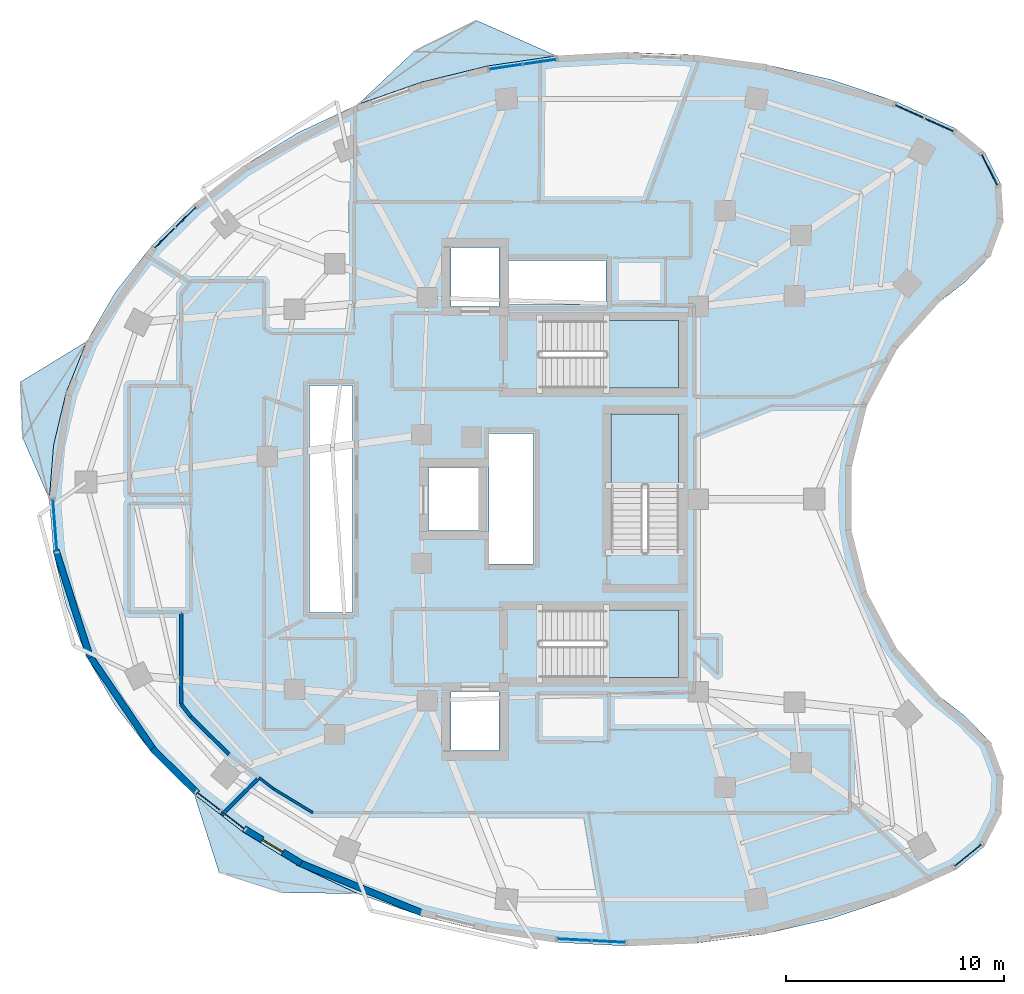
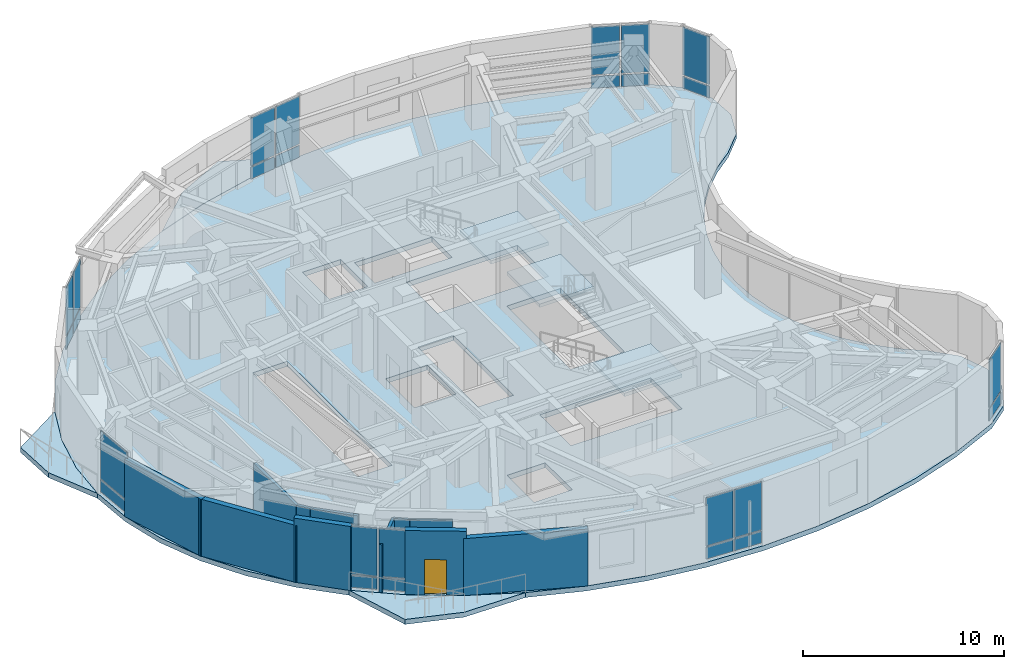
# One storey, part 6 of 13: 26 plates, 11 walls, 7 slabs, 1 door, 1 opening, 11 elements without a shape of their own.
"""IFC4 building model written with IfcOpenShell, lengths in metres."""

from ifc_helpers import new_model, si_unit, direction, frame, frame_2d, origin, origin_2d, place, context, subcontext, project, spatial, polyline, rectangle, outline, extrude, material, layer, layer_set, type_object, element, fill, aggregate, save


model = new_model("IFC4")

# Units and contexts
model_context = context("Model", 3, precision=1e-05, world=origin(), true_north=direction((0.0, 1.0)))
body_context = subcontext(model_context, "Body", "Model", "MODEL_VIEW")
ifc_project = project(units=[si_unit("LENGTHUNIT", "METRE"), si_unit("AREAUNIT", "SQUARE_METRE"), si_unit("VOLUMEUNIT", "CUBIC_METRE"), si_unit("PLANEANGLEUNIT", "RADIAN"), si_unit("MASSUNIT", "GRAM", prefix="KILO")], contexts=[model_context])

# Site, building, storey
site_placement = place(None, origin())
site = spatial("IfcSite", under=ifc_project, at=site_placement, CompositionType="ELEMENT")
building_placement = place(site_placement, origin())
building = spatial("IfcBuilding", under=site, at=building_placement, Name="Korentha Bioscience Tower", CompositionType="ELEMENT")
storey_placement = place(building_placement, frame((0.0, 0.0, 187.800048828125)))
storey = spatial("IfcBuildingStorey", under=building, at=storey_placement, Name="L43", CompositionType="ELEMENT", Elevation=187.800048828125)

# Curtain wall, plates
ifc_material_1 = material(Name="Thermally Broken Aluminium Frame", Category="aluminium")
ifc_layer_1 = layer(ifc_material_1, 0.219970703125, Name="Thermally Broken Aluminium Frame")
ifc_layer_set_1 = layer_set([ifc_layer_1], Name="Thermally Broken Aluminium Frame (CW-T1)")
curtain_wall_type = type_object("IfcCurtainWallType", Name="Standard Bioscience Lab Unitised Curtain Wall CW-T1", PredefinedType="USERDEFINED", material=ifc_layer_set_1)
curtain_wall_1_placement = place(storey_placement, origin())
curtain_wall_1 = element("IfcCurtainWall", 1, at=curtain_wall_1_placement, inside=storey, type_object=curtain_wall_type, Name="L43 Curtain Wall 01", ObjectType="UNITISED", PredefinedType="USERDEFINED")
ifc_material_2 = material(Name="Triple-Glazed Low-E Insulated Glass", Category="glass")
ifc_layer_2 = layer(ifc_material_2, 0.0439453125, Name="Triple-Glazed Low-E Insulated Glass")
ifc_layer_set_2 = layer_set([ifc_layer_2], Name="Triple-Glazed Low-E Insulated Glass (GL-44)")
plate_type = type_object("IfcPlateType", Name="Glazed Panel 44mm", PredefinedType="CURTAIN_PANEL", material=ifc_layer_set_2)
plate_1_placement = place(storey_placement, frame((48.625732421875, 44.190673828125, 0.08984375), z_axis=(0.0, 0.0, 1.0), x_axis=(-0.910644398392, 0.413190972406, 0.0)))
plate_1 = element("IfcPlate", 2, at=plate_1_placement, type_object=plate_type, Name="CW-L43-01 Bay 1 Glazed Panel 1", PredefinedType="CURTAIN_PANEL", context=body_context, shape_type="SweptSolid", body=[
    extrude(rectangle(XDim=1.422607421875, YDim=0.0439453125, at=origin_2d()), origin(), (0.0, 0.0, 1.0), 0.715087890625),
])
plate_2_placement = place(storey_placement, frame((48.625732421875, 44.190673828125, 0.89501953125), z_axis=(0.0, 0.0, 1.0), x_axis=(-0.910644398392, 0.413190972406, 0.0)))
plate_2 = element("IfcPlate", 3, at=plate_2_placement, type_object=plate_type, Name="CW-L43-01 Bay 1 Glazed Panel 2", PredefinedType="CURTAIN_PANEL", context=body_context, shape_type="SweptSolid", body=[
    extrude(rectangle(XDim=1.422607421875, YDim=0.0439453125, at=origin_2d()), origin(), (0.0, 0.0, 1.0), 2.9150390625),
])
plate_3_placement = place(storey_placement, frame((47.248291015625, 44.815673828125, 0.08984375), z_axis=(0.0, 0.0, 1.0), x_axis=(-0.910644398392, 0.413190972406, 0.0)))
plate_3 = element("IfcPlate", 4, at=plate_3_placement, type_object=plate_type, Name="CW-L43-01 Bay 2 Glazed Panel 1", PredefinedType="CURTAIN_PANEL", context=body_context, shape_type="SweptSolid", body=[
    extrude(rectangle(XDim=1.422607421875, YDim=0.0439453125, at=origin_2d()), origin(), (0.0, 0.0, 1.0), 0.715087890625),
])
plate_4_placement = place(storey_placement, frame((47.248291015625, 44.815673828125, 0.89501953125), z_axis=(0.0, 0.0, 1.0), x_axis=(-0.910644398392, 0.413190972406, 0.0)))
plate_4 = element("IfcPlate", 5, at=plate_4_placement, type_object=plate_type, Name="CW-L43-01 Bay 2 Glazed Panel 2", PredefinedType="CURTAIN_PANEL", context=body_context, shape_type="SweptSolid", body=[
    extrude(rectangle(XDim=1.422607421875, YDim=0.0439453125, at=origin_2d()), origin(), (0.0, 0.0, 1.0), 2.9150390625),
])
aggregate(curtain_wall_1, [plate_1, plate_2, plate_3, plate_4])

curtain_wall_2_placement = place(storey_placement, origin())
curtain_wall_2 = element("IfcCurtainWall", 6, at=curtain_wall_2_placement, inside=storey, type_object=curtain_wall_type, Name="L43 Curtain Wall 07", ObjectType="UNITISED", PredefinedType="USERDEFINED")
plate_5_placement = place(storey_placement, frame((30.27099609375, 47.090087890625, 0.08984375), z_axis=(0.0, 0.0, 1.0), x_axis=(-0.989461919888, -0.144793332342, 0.0)))
plate_5 = element("IfcPlate", 7, at=plate_5_placement, type_object=plate_type, Name="CW-L43-07 Bay 1 Glazed Panel 1", PredefinedType="CURTAIN_PANEL", context=body_context, shape_type="SweptSolid", body=[
    extrude(rectangle(XDim=1.498291015625, YDim=0.0439453125, at=origin_2d()), origin(), (0.0, 0.0, 1.0), 0.715087890625),
])
plate_6_placement = place(storey_placement, frame((30.27099609375, 47.090087890625, 0.89501953125), z_axis=(0.0, 0.0, 1.0), x_axis=(-0.989461919888, -0.144793332342, 0.0)))
plate_6 = element("IfcPlate", 8, at=plate_6_placement, type_object=plate_type, Name="CW-L43-07 Bay 1 Glazed Panel 2", PredefinedType="CURTAIN_PANEL", context=body_context, shape_type="SweptSolid", body=[
    extrude(rectangle(XDim=1.498291015625, YDim=0.0439453125, at=origin_2d()), origin(), (0.0, 0.0, 1.0), 2.9150390625),
])
plate_7_placement = place(storey_placement, frame((28.69921875, 46.860107421875, 0.08984375), z_axis=(0.0, 0.0, 1.0), x_axis=(-0.989461919888, -0.144793332342, 0.0)))
plate_7 = element("IfcPlate", 9, at=plate_7_placement, type_object=plate_type, Name="CW-L43-07 Bay 2 Glazed Panel 1", PredefinedType="CURTAIN_PANEL", context=body_context, shape_type="SweptSolid", body=[
    extrude(rectangle(XDim=1.498291015625, YDim=0.0439453125, at=origin_2d()), origin(), (0.0, 0.0, 1.0), 0.715087890625),
])
plate_8_placement = place(storey_placement, frame((28.69921875, 46.860107421875, 0.89501953125), z_axis=(0.0, 0.0, 1.0), x_axis=(-0.989461919888, -0.144793332342, 0.0)))
plate_8 = element("IfcPlate", 10, at=plate_8_placement, type_object=plate_type, Name="CW-L43-07 Bay 2 Glazed Panel 2", PredefinedType="CURTAIN_PANEL", context=body_context, shape_type="SweptSolid", body=[
    extrude(rectangle(XDim=1.498291015625, YDim=0.0439453125, at=origin_2d()), origin(), (0.0, 0.0, 1.0), 2.9150390625),
])
aggregate(curtain_wall_2, [plate_5, plate_6, plate_7, plate_8])

curtain_wall_3_placement = place(storey_placement, origin())
curtain_wall_3 = element("IfcCurtainWall", 11, at=curtain_wall_3_placement, inside=storey, type_object=curtain_wall_type, Name="L43 Curtain Wall 13", ObjectType="UNITISED", PredefinedType="USERDEFINED")
plate_9_placement = place(storey_placement, frame((14.00830078125, 39.957763671875, 0.08984375), z_axis=(0.0, 0.0, 1.0), x_axis=(-0.711460557971, -0.702726030862, 0.0)))
plate_9 = element("IfcPlate", 12, at=plate_9_placement, type_object=plate_type, Name="CW-L43-13 Bay 1 Glazed Panel 1", PredefinedType="CURTAIN_PANEL", context=body_context, shape_type="SweptSolid", body=[
    extrude(rectangle(XDim=1.290283203125, YDim=0.0439453125, at=origin_2d()), origin(), (0.0, 0.0, 1.0), 0.715087890625),
])
plate_10_placement = place(storey_placement, frame((14.00830078125, 39.957763671875, 0.89501953125), z_axis=(0.0, 0.0, 1.0), x_axis=(-0.711460557971, -0.702726030862, 0.0)))
plate_10 = element("IfcPlate", 13, at=plate_10_placement, type_object=plate_type, Name="CW-L43-13 Bay 1 Glazed Panel 2", PredefinedType="CURTAIN_PANEL", context=body_context, shape_type="SweptSolid", body=[
    extrude(rectangle(XDim=1.290283203125, YDim=0.0439453125, at=origin_2d()), origin(), (0.0, 0.0, 1.0), 2.9150390625),
])
plate_11_placement = place(storey_placement, frame((13.0263671875, 38.98779296875, 0.08984375), z_axis=(0.0, 0.0, 1.0), x_axis=(-0.711460557971, -0.702726030862, 0.0)))
plate_11 = element("IfcPlate", 14, at=plate_11_placement, type_object=plate_type, Name="CW-L43-13 Bay 2 Glazed Panel 1", PredefinedType="CURTAIN_PANEL", context=body_context, shape_type="SweptSolid", body=[
    extrude(rectangle(XDim=1.290283203125, YDim=0.0439453125, at=origin_2d()), origin(), (0.0, 0.0, 1.0), 0.715087890625),
])
plate_12_placement = place(storey_placement, frame((13.0263671875, 38.98779296875, 0.89501953125), z_axis=(0.0, 0.0, 1.0), x_axis=(-0.711460557971, -0.702726030862, 0.0)))
plate_12 = element("IfcPlate", 15, at=plate_12_placement, type_object=plate_type, Name="CW-L43-13 Bay 2 Glazed Panel 2", PredefinedType="CURTAIN_PANEL", context=body_context, shape_type="SweptSolid", body=[
    extrude(rectangle(XDim=1.290283203125, YDim=0.0439453125, at=origin_2d()), origin(), (0.0, 0.0, 1.0), 2.9150390625),
])
aggregate(curtain_wall_3, [plate_9, plate_10, plate_11, plate_12])

curtain_wall_4_placement = place(storey_placement, origin())
curtain_wall_4 = element("IfcCurtainWall", 16, at=curtain_wall_4_placement, inside=storey, type_object=curtain_wall_type, Name="L43 Curtain Wall 19", ObjectType="UNITISED", PredefinedType="USERDEFINED")
plate_13_placement = place(storey_placement, frame((7.991943359375, 25.781005859375, 0.08984375), z_axis=(0.0, 0.0, 1.0), x_axis=(0.078030772566, -0.996950950916, 0.0)))
plate_13 = element("IfcPlate", 17, at=plate_13_placement, type_object=plate_type, Name="CW-L43-19 Bay 1 Glazed Panel 1", PredefinedType="CURTAIN_PANEL", context=body_context, shape_type="SweptSolid", body=[
    extrude(rectangle(XDim=2.370361328125, YDim=0.0439453125, at=origin_2d()), origin(), (0.0, 0.0, 1.0), 0.715087890625),
])
plate_14_placement = place(storey_placement, frame((7.991943359375, 25.781005859375, 0.89501953125), z_axis=(0.0, 0.0, 1.0), x_axis=(0.078030772566, -0.996950950916, 0.0)))
plate_14 = element("IfcPlate", 18, at=plate_14_placement, type_object=plate_type, Name="CW-L43-19 Bay 1 Glazed Panel 2", PredefinedType="CURTAIN_PANEL", context=body_context, shape_type="SweptSolid", body=[
    extrude(rectangle(XDim=2.370361328125, YDim=0.0439453125, at=origin_2d()), origin(), (0.0, 0.0, 1.0), 2.9150390625),
])
aggregate(curtain_wall_4, [plate_13, plate_14])

curtain_wall_5_placement = place(storey_placement, origin())
curtain_wall_5 = element("IfcCurtainWall", 19, at=curtain_wall_5_placement, inside=storey, type_object=curtain_wall_type, Name="L43 Curtain Wall 25", ObjectType="UNITISED", PredefinedType="USERDEFINED")
plate_15_placement = place(storey_placement, frame((15.0556640625, 13.126953125, 0.08984375), z_axis=(0.0, 0.0, 1.0), x_axis=(0.790546796919, -0.612401634454, 0.0)))
plate_15 = element("IfcPlate", 20, at=plate_15_placement, type_object=plate_type, Name="CW-L43-25 Bay 1 Glazed Panel 1", PredefinedType="CURTAIN_PANEL", context=body_context, shape_type="SweptSolid", body=[
    extrude(rectangle(XDim=1.3349609375, YDim=0.0439453125, at=origin_2d()), origin(), (0.0, 0.0, 1.0), 0.715087890625),
])
plate_16_placement = place(storey_placement, frame((15.0556640625, 13.126953125, 0.89501953125), z_axis=(0.0, 0.0, 1.0), x_axis=(0.790546796919, -0.612401634454, 0.0)))
plate_16 = element("IfcPlate", 21, at=plate_16_placement, type_object=plate_type, Name="CW-L43-25 Bay 1 Glazed Panel 2", PredefinedType="CURTAIN_PANEL", context=body_context, shape_type="SweptSolid", body=[
    extrude(rectangle(XDim=1.3349609375, YDim=0.0439453125, at=origin_2d()), origin(), (0.0, 0.0, 1.0), 2.9150390625),
])
plate_17_placement = place(storey_placement, frame((16.18212890625, 12.25439453125, 0.08984375), z_axis=(0.0, 0.0, 1.0), x_axis=(0.790546796919, -0.612401634454, 0.0)))
plate_17 = element("IfcPlate", 22, at=plate_17_placement, type_object=plate_type, Name="CW-L43-25 Bay 2 Glazed Panel 1", PredefinedType="CURTAIN_PANEL", context=body_context, shape_type="SweptSolid", body=[
    extrude(rectangle(XDim=1.3349609375, YDim=0.0439453125, at=origin_2d()), origin(), (0.0, 0.0, 1.0), 0.715087890625),
])
plate_18_placement = place(storey_placement, frame((16.18212890625, 12.25439453125, 0.89501953125), z_axis=(0.0, 0.0, 1.0), x_axis=(0.790546796919, -0.612401634454, 0.0)))
plate_18 = element("IfcPlate", 23, at=plate_18_placement, type_object=plate_type, Name="CW-L43-25 Bay 2 Glazed Panel 2", PredefinedType="CURTAIN_PANEL", context=body_context, shape_type="SweptSolid", body=[
    extrude(rectangle(XDim=1.3349609375, YDim=0.0439453125, at=origin_2d()), origin(), (0.0, 0.0, 1.0), 2.9150390625),
])
aggregate(curtain_wall_5, [plate_15, plate_16, plate_17, plate_18])

curtain_wall_6_placement = place(storey_placement, origin())
curtain_wall_6 = element("IfcCurtainWall", 24, at=curtain_wall_6_placement, inside=storey, type_object=curtain_wall_type, Name="L43 Curtain Wall 31", ObjectType="UNITISED", PredefinedType="USERDEFINED")
plate_19_placement = place(storey_placement, frame((31.849853515625, 6.75390625, 0.08984375), z_axis=(0.0, 0.0, 1.0), x_axis=(0.998637677307, -0.052180355139, 0.0)))
plate_19 = element("IfcPlate", 25, at=plate_19_placement, type_object=plate_type, Name="CW-L43-31 Bay 1 Glazed Panel 1", PredefinedType="CURTAIN_PANEL", context=body_context, shape_type="SweptSolid", body=[
    extrude(rectangle(XDim=1.50830078125, YDim=0.0439453125, at=origin_2d()), origin(), (0.0, 0.0, 1.0), 0.715087890625),
])
plate_20_placement = place(storey_placement, frame((31.849853515625, 6.75390625, 0.89501953125), z_axis=(0.0, 0.0, 1.0), x_axis=(0.998637677307, -0.052180355139, 0.0)))
plate_20 = element("IfcPlate", 26, at=plate_20_placement, type_object=plate_type, Name="CW-L43-31 Bay 1 Glazed Panel 2", PredefinedType="CURTAIN_PANEL", context=body_context, shape_type="SweptSolid", body=[
    extrude(rectangle(XDim=1.50830078125, YDim=0.0439453125, at=origin_2d()), origin(), (0.0, 0.0, 1.0), 2.9150390625),
])
plate_21_placement = place(storey_placement, frame((33.446044921875, 6.67041015625, 0.08984375), z_axis=(0.0, 0.0, 1.0), x_axis=(0.998637677307, -0.052180355139, 0.0)))
plate_21 = element("IfcPlate", 27, at=plate_21_placement, type_object=plate_type, Name="CW-L43-31 Bay 2 Glazed Panel 1", PredefinedType="CURTAIN_PANEL", context=body_context, shape_type="SweptSolid", body=[
    extrude(rectangle(XDim=1.50830078125, YDim=0.0439453125, at=origin_2d()), origin(), (0.0, 0.0, 1.0), 0.715087890625),
])
plate_22_placement = place(storey_placement, frame((33.446044921875, 6.67041015625, 0.89501953125), z_axis=(0.0, 0.0, 1.0), x_axis=(0.998637677307, -0.052180355139, 0.0)))
plate_22 = element("IfcPlate", 28, at=plate_22_placement, type_object=plate_type, Name="CW-L43-31 Bay 2 Glazed Panel 2", PredefinedType="CURTAIN_PANEL", context=body_context, shape_type="SweptSolid", body=[
    extrude(rectangle(XDim=1.50830078125, YDim=0.0439453125, at=origin_2d()), origin(), (0.0, 0.0, 1.0), 2.9150390625),
])
aggregate(curtain_wall_6, [plate_19, plate_20, plate_21, plate_22])

curtain_wall_7_placement = place(storey_placement, origin())
curtain_wall_7 = element("IfcCurtainWall", 29, at=curtain_wall_7_placement, inside=storey, type_object=curtain_wall_type, Name="L43 Curtain Wall 37", ObjectType="UNITISED", PredefinedType="USERDEFINED")
plate_23_placement = place(storey_placement, frame((49.938720703125, 10.637451171875, 0.08984375), z_axis=(0.0, 0.0, 1.0), x_axis=(0.77425646139, 0.632871971251, 0.0)))
plate_23 = element("IfcPlate", 30, at=plate_23_placement, type_object=plate_type, Name="CW-L43-37 Bay 1 Glazed Panel 1", PredefinedType="CURTAIN_PANEL", context=body_context, shape_type="SweptSolid", body=[
    extrude(rectangle(XDim=1.591796875, YDim=0.0439453125, at=origin_2d()), origin(), (0.0, 0.0, 1.0), 0.715087890625),
])
plate_24_placement = place(storey_placement, frame((49.938720703125, 10.637451171875, 0.89501953125), z_axis=(0.0, 0.0, 1.0), x_axis=(0.77425646139, 0.632871971251, 0.0)))
plate_24 = element("IfcPlate", 31, at=plate_24_placement, type_object=plate_type, Name="CW-L43-37 Bay 1 Glazed Panel 2", PredefinedType="CURTAIN_PANEL", context=body_context, shape_type="SweptSolid", body=[
    extrude(rectangle(XDim=1.591796875, YDim=0.0439453125, at=origin_2d()), origin(), (0.0, 0.0, 1.0), 2.9150390625),
])
aggregate(curtain_wall_7, [plate_23, plate_24])

curtain_wall_8_placement = place(storey_placement, origin())
curtain_wall_8 = element("IfcCurtainWall", 32, at=curtain_wall_8_placement, inside=storey, type_object=curtain_wall_type, Name="L43 Curtain Wall 61", ObjectType="UNITISED", PredefinedType="USERDEFINED")
plate_25_placement = place(storey_placement, frame((50.936767578125, 42.124755859375, 0.08984375), z_axis=(0.0, 0.0, 1.0), x_axis=(-0.45428845847, 0.890854643868, 0.0)))
plate_25 = element("IfcPlate", 33, at=plate_25_placement, type_object=plate_type, Name="CW-L43-61 Bay 1 Glazed Panel 1", PredefinedType="CURTAIN_PANEL", context=body_context, shape_type="SweptSolid", body=[
    extrude(rectangle(XDim=1.591796875, YDim=0.0439453125, at=origin_2d()), origin(), (0.0, 0.0, 1.0), 0.715087890625),
])
plate_26_placement = place(storey_placement, frame((50.936767578125, 42.124755859375, 0.89501953125), z_axis=(0.0, 0.0, 1.0), x_axis=(-0.45428845847, 0.890854643868, 0.0)))
plate_26 = element("IfcPlate", 34, at=plate_26_placement, type_object=plate_type, Name="CW-L43-61 Bay 1 Glazed Panel 2", PredefinedType="CURTAIN_PANEL", context=body_context, shape_type="SweptSolid", body=[
    extrude(rectangle(XDim=1.591796875, YDim=0.0439453125, at=origin_2d()), origin(), (0.0, 0.0, 1.0), 2.9150390625),
])
aggregate(curtain_wall_8, [plate_25, plate_26])

# Slab
ifc_material_3 = material(Name="Concrete C50", Category="concrete")
ifc_layer_3 = layer(ifc_material_3, 0.300048828125, Name="Concrete C50")
ifc_layer_set_3 = layer_set([ifc_layer_3], Name="Concrete C50 (SL-L300)")
slab_type_1 = type_object("IfcSlabType", Name="Laboratory Vibration-Controlled Slab 300", PredefinedType="FLOOR", material=ifc_layer_set_3)
slab_1_placement = place(storey_placement, frame((0.0, 0.0, -0.300048828125)))
element("IfcSlab", 35, at=slab_1_placement, inside=storey, type_object=slab_type_1, Name="L43 Tower Structural Floor Slab", PredefinedType="FLOOR", context=body_context, shape_type="SweptSolid", body=[
    extrude(outline(polyline([(49.38525390625, 44.021728515625), (46.62109375, 45.27587890625), (43.681396484375, 46.266357421875), (40.608154296875, 46.978515625), (37.446044921875, 47.40234375), (34.24072265625, 47.531494140625), (31.038330078125, 47.364013671875), (27.88525390625, 46.902587890625), (24.826904296875, 46.154052734375), (21.907470703125, 45.128662109375), (19.169189453125, 43.841552734375), (16.6513671875, 42.311279296875), (14.390380859375, 40.56005859375), (12.419189453125, 38.613037109375), (10.76611328125, 36.498291015625), (9.454833984375, 34.246337890625), (8.504638671875, 31.889892578125), (7.9287109375, 29.462646484375), (7.736083984375, 27.0), (7.9287109375, 24.537353515625), (8.504638671875, 22.110107421875), (9.454833984375, 19.753662109375), (10.76611328125, 17.501708984375), (12.419189453125, 15.386962890625), (14.390380859375, 13.43994140625), (16.6513671875, 11.688720703125), (19.169189453125, 10.158447265625), (21.907470703125, 8.871337890625), (24.826904296875, 7.845947265625), (27.88525390625, 7.097412109375), (31.038330078125, 6.635986328125), (34.24072265625, 6.468505859375), (37.446044921875, 6.59765625), (40.608154296875, 7.021484375), (43.681396484375, 7.733642578125), (46.62109375, 8.72412109375), (49.38525390625, 9.978271484375), (50.695068359375, 11.048828125), (51.46337890625, 12.55615234375), (51.560791015625, 14.2451171875), (50.970458984375, 15.83056640625), (49.792236328125, 17.044677734375), (48.629150390625, 17.937255859375), (47.583251953125, 18.96484375), (46.670654296875, 20.1123046875), (45.904541015625, 21.3623046875), (45.29638671875, 22.696533203125), (44.855712890625, 24.094970703125), (44.58837890625, 25.53662109375), (44.498779296875, 27.0), (44.58837890625, 28.46337890625), (44.855712890625, 29.905029296875), (45.29638671875, 31.303466796875), (45.904541015625, 32.6376953125), (46.670654296875, 33.8876953125), (47.583251953125, 35.03515625), (48.629150390625, 36.062744140625), (49.792236328125, 36.955322265625), (50.970458984375, 38.16943359375), (51.560791015625, 39.7548828125), (51.46337890625, 41.44384765625), (50.695068359375, 42.951171875), (49.38525390625, 44.021728515625)]), holes=[polyline([(30.25, 32.10009765625), (36.64990234375, 32.10009765625), (36.64990234375, 35.199951171875), (30.25, 35.199951171875), (30.25, 32.10009765625)]), polyline([(30.25, 18.800048828125), (36.64990234375, 18.800048828125), (36.64990234375, 21.89990234375), (30.25, 21.89990234375), (30.25, 18.800048828125)]), polyline([(36.64990234375, 24.550048828125), (36.64990234375, 30.89990234375), (33.550048828125, 30.89990234375), (33.550048828125, 24.550048828125), (36.64990234375, 24.550048828125)]), polyline([(19.679931640625, 21.780029296875), (21.669921875, 21.780029296875), (21.669921875, 32.219970703125), (19.679931640625, 32.219970703125), (19.679931640625, 21.780029296875)]), polyline([(27.929931640625, 24.030029296875), (29.969970703125, 24.030029296875), (29.969970703125, 30.02001953125), (27.929931640625, 30.02001953125), (27.929931640625, 24.030029296875)]), polyline([(28.860107421875, 35.93994140625), (33.31005859375, 35.93994140625), (33.31005859375, 37.9599609375), (28.860107421875, 37.9599609375), (28.860107421875, 35.93994140625)]), polyline([(26.199951171875, 15.449951171875), (28.39990234375, 15.449951171875), (28.39990234375, 18.14990234375), (26.199951171875, 18.14990234375), (26.199951171875, 15.449951171875)]), polyline([(26.199951171875, 35.85009765625), (28.39990234375, 35.85009765625), (28.39990234375, 38.550048828125), (26.199951171875, 38.550048828125), (26.199951171875, 35.85009765625)]), polyline([(25.14990234375, 25.550048828125), (27.550048828125, 25.550048828125), (27.550048828125, 28.449951171875), (25.14990234375, 28.449951171875), (25.14990234375, 25.550048828125)])]), origin(), (0.0, 0.0, 1.0), 0.300048828125),
])

# Stair, slab
ifc_material_4 = material(Name="Precast Concrete C50", Category="concrete")
stair_type = type_object("IfcStairType", Name="Core Exit Dog-Leg Stair 1450", PredefinedType="HALF_TURN_STAIR", material=ifc_material_4)
stair_1_placement = place(storey_placement, origin())
stair_1 = element("IfcStair", 36, at=stair_1_placement, inside=storey, type_object=stair_type, Name="L43 Tower North Pressurized Exit Stair ST-1", PredefinedType="HALF_TURN_STAIR")
ifc_layer_4 = layer(ifc_material_3, 0.199951171875, Name="Concrete C50")
ifc_layer_set_4 = layer_set([ifc_layer_4], Name="Concrete C50 (SL-LND)")
slab_type_2 = type_object("IfcSlabType", Name="Landing Slab 200", PredefinedType="LANDING", material=ifc_layer_set_4)
slab_2_placement = place(storey_placement, frame((0.0, 0.0, 1.89990234375)))
slab_2 = element("IfcSlab", 37, at=slab_2_placement, type_object=slab_type_2, Name="ST-1 landing 1", PredefinedType="LANDING", context=body_context, shape_type="SweptSolid", body=[
    extrude(outline(polyline([(33.330078125, 32.10009765625), (36.64990234375, 32.10009765625), (36.64990234375, 35.199951171875), (33.330078125, 35.199951171875), (33.330078125, 32.10009765625)])), origin(), (0.0, 0.0, 1.0), 0.199951171875),
])
aggregate(stair_1, [slab_2])

stair_2_placement = place(storey_placement, origin())
stair_2 = element("IfcStair", 38, at=stair_2_placement, inside=storey, type_object=stair_type, Name="L43 Tower South Pressurized Exit Stair ST-2", PredefinedType="HALF_TURN_STAIR")
slab_3_placement = place(storey_placement, frame((0.0, 0.0, 1.89990234375)))
slab_3 = element("IfcSlab", 39, at=slab_3_placement, type_object=slab_type_2, Name="ST-2 landing 1", PredefinedType="LANDING", context=body_context, shape_type="SweptSolid", body=[
    extrude(outline(polyline([(33.330078125, 18.800048828125), (36.64990234375, 18.800048828125), (36.64990234375, 21.89990234375), (33.330078125, 21.89990234375), (33.330078125, 18.800048828125)])), origin(), (0.0, 0.0, 1.0), 0.199951171875),
])
aggregate(stair_2, [slab_3])

stair_3_placement = place(storey_placement, origin())
stair_3 = element("IfcStair", 40, at=stair_3_placement, inside=storey, type_object=stair_type, Name="L43 Tower Central Pressurized Exit Stair ST-3", PredefinedType="HALF_TURN_STAIR")
slab_4_placement = place(storey_placement, frame((0.0, 0.0, 1.89990234375)))
slab_4 = element("IfcSlab", 41, at=slab_4_placement, type_object=slab_type_2, Name="ST-3 landing 1", PredefinedType="LANDING", context=body_context, shape_type="SweptSolid", body=[
    extrude(outline(polyline([(36.64990234375, 27.6298828125), (36.64990234375, 30.89990234375), (33.550048828125, 30.89990234375), (33.550048828125, 27.6298828125), (36.64990234375, 27.6298828125)])), origin(), (0.0, 0.0, 1.0), 0.199951171875),
])
aggregate(stair_3, [slab_4])

# Slabs
ifc_layer_5 = layer(ifc_material_3, 0.300048828125, Name="Concrete C50")
ifc_layer_set_5 = layer_set([ifc_layer_5], Name="Concrete C50 (BS-240)")
slab_type_3 = type_object("IfcSlabType", Name="Sawtooth Sun-Ledge Balcony Slab 240", PredefinedType="USERDEFINED", material=ifc_layer_set_5)
slab_5_placement = place(storey_placement, frame((0.0, 0.0, -0.300048828125)))
element("IfcSlab", 42, at=slab_5_placement, inside=storey, type_object=slab_type_3, Name="L43 Sun-Ledge Balcony 01", ObjectType="BALCONY", PredefinedType="USERDEFINED", context=body_context, shape_type="SweptSolid", body=[
    extrude(outline(polyline([(21.907470703125, 45.128662109375), (24.826904296875, 46.154052734375), (27.88525390625, 46.902587890625), (31.038330078125, 47.364013671875), (27.3740234375, 48.990966796875), (24.482177734375, 47.5625), (21.907470703125, 45.128662109375)])), origin(), (0.0, 0.0, 1.0), 0.300048828125),
])
slab_6_placement = place(storey_placement, frame((0.0, 0.0, -0.300048828125)))
element("IfcSlab", 43, at=slab_6_placement, inside=storey, type_object=slab_type_3, Name="L43 Sun-Ledge Balcony 02", ObjectType="BALCONY", PredefinedType="USERDEFINED", context=body_context, shape_type="SweptSolid", body=[
    extrude(outline(polyline([(7.736083984375, 27.0), (7.9287109375, 29.462646484375), (8.504638671875, 31.889892578125), (9.454833984375, 34.246337890625), (6.41259765625, 32.385986328125), (6.517822265625, 29.79736328125), (7.736083984375, 27.0)])), origin(), (0.0, 0.0, 1.0), 0.300048828125),
])
slab_7_placement = place(storey_placement, frame((0.0, 0.0, -0.300048828125)))
element("IfcSlab", 44, at=slab_7_placement, inside=storey, type_object=slab_type_3, Name="L43 Sun-Ledge Balcony 03", ObjectType="BALCONY", PredefinedType="USERDEFINED", context=body_context, shape_type="SweptSolid", body=[
    extrude(outline(polyline([(21.907470703125, 8.871337890625), (19.169189453125, 10.158447265625), (16.6513671875, 11.688720703125), (14.390380859375, 13.43994140625), (15.53466796875, 9.851318359375), (18.416015625, 8.919189453125), (21.907470703125, 8.871337890625)])), origin(), (0.0, 0.0, 1.0), 0.300048828125),
])

# Walls
ifc_material_5 = material(Name="Fire-Rated Framed Glass", Category="glass")
ifc_layer_6 = layer(ifc_material_5, 0.110107421875, Name="Fire-Rated Framed Glass")
ifc_layer_set_6 = layer_set([ifc_layer_6], Name="Fire-Rated Framed Glass (IW-G110)")
wall_type_1 = type_object("IfcWallType", Name="Demountable Glazed Office Partition 110", PredefinedType="MOVABLE", material=ifc_layer_set_6)
wall_1_placement = place(storey_placement, frame((17.376708984375, 14.200439453125, 0.0), z_axis=(0.0, 0.0, 1.0), x_axis=(0.790511553124, -0.612447127822, 0.0)))
element("IfcWall", 45, at=wall_1_placement, inside=storey, type_object=wall_type_1, Name="L43 Interior Partition 044", PredefinedType="MOVABLE", context=body_context, shape_type="SweptSolid", body=[
    extrude(rectangle(XDim=0.82666015625, YDim=0.110107421875, at=frame_2d((0.413330078125, 0.0))), origin(), (0.0, 0.0, 1.0), 2.909912109375),
])
wall_2_placement = place(storey_placement, frame((18.03125, 13.693603515625, 0.0), z_axis=(0.0, 0.0, 1.0), x_axis=(0.85454497186, -0.51937740716, 0.0)))
element("IfcWall", 46, at=wall_2_placement, inside=storey, type_object=wall_type_1, Name="L43 Interior Partition 045", PredefinedType="MOVABLE", context=body_context, shape_type="SweptSolid", body=[
    extrude(rectangle(XDim=2.121826171875, YDim=0.110107421875, at=frame_2d((1.06103515625, 0.0))), origin(), (0.0, 0.0, 1.0), 2.909912109375),
])
ifc_material_6 = material(Name="Gypsum-Clad Steel Stud", Category="steel")
ifc_layer_7 = layer(ifc_material_6, 0.159912109375, Name="Gypsum-Clad Steel Stud")
ifc_layer_set_7 = layer_set([ifc_layer_7], Name="Gypsum-Clad Steel Stud (IW-C160)")
wall_type_2 = type_object("IfcWallType", Name="Fire-Rated Corridor Partition Wall 160", PredefinedType="PARTITIONING", material=ifc_layer_set_7)
wall_3_placement = place(storey_placement, frame((13.7900390625, 21.7900390625, 0.0), z_axis=(0.0, 0.0, 1.0), x_axis=(0.0, -1.0, 0.0)))
element("IfcWall", 47, at=wall_3_placement, inside=storey, type_object=wall_type_2, Name="L43 Interior Partition 032", PredefinedType="PARTITIONING", context=body_context, shape_type="SweptSolid", body=[
    extrude(rectangle(XDim=4.20751953125, YDim=0.159912109375, at=frame_2d((2.103759765625, 0.0))), origin(), (0.0, 0.0, 1.0), 2.909912109375),
])
wall_4_placement = place(storey_placement, frame((13.7919921875, 17.576416015625, 0.0), z_axis=(0.0, 0.0, 1.0), x_axis=(0.615925776879, -0.787804187204, 0.0)))
element("IfcWall", 48, at=wall_4_placement, inside=storey, type_object=wall_type_2, Name="L43 Interior Partition 033", PredefinedType="PARTITIONING", context=body_context, shape_type="SweptSolid", body=[
    extrude(rectangle(XDim=0.722900390625, YDim=0.159912109375, at=frame_2d((0.361328125, 0.0))), origin(), (0.0, 0.0, 1.0), 2.909912109375),
])
wall_5_placement = place(storey_placement, frame((14.23828125, 17.005859375, 0.0), z_axis=(0.0, 0.0, 1.0), x_axis=(0.711447157113, -0.702739598027, 0.0)))
element("IfcWall", 49, at=wall_5_placement, inside=storey, type_object=wall_type_2, Name="L43 Interior Partition 034", PredefinedType="PARTITIONING", context=body_context, shape_type="SweptSolid", body=[
    extrude(rectangle(XDim=2.46728515625, YDim=0.159912109375, at=frame_2d((1.233642578125, 0.0))), origin(), (0.0, 0.0, 1.0), 2.909912109375),
])
wall_6_placement = place(storey_placement, frame((17.368896484375, 14.20654296875, 0.0), z_axis=(0.0, 0.0, 1.0), x_axis=(-0.705948871301, -0.708262798056, 0.0)))
element("IfcWall", 50, at=wall_6_placement, inside=storey, type_object=wall_type_2, Name="L43 Interior Partition 036", PredefinedType="PARTITIONING", context=body_context, shape_type="SweptSolid", body=[
    extrude(rectangle(XDim=2.4267578125, YDim=0.159912109375, at=frame_2d((1.21337890625, 0.0))), origin(), (0.0, 0.0, 1.0), 2.909912109375),
])

# Wall, opening, door
ifc_material_7 = material(Name="Honed Limestone Precast Concrete C40", Category="masonry")
ifc_layer_8 = layer(ifc_material_7, 0.300048828125, Name="Honed Limestone Precast Concrete C40")
ifc_layer_set_8 = layer_set([ifc_layer_8], Name="Honed Limestone Precast Concrete C40 (EW-ST300)")
wall_type_3 = type_object("IfcWallType", Name="Honed Limestone Cavity Spandrel Wall 300", PredefinedType="STANDARD", material=ifc_layer_set_8)
wall_7_placement = place(storey_placement, frame((16.68310546875, 11.8564453125, 0.0), z_axis=(0.0, 0.0, 1.0), x_axis=(0.85455658592, -0.519358297769, 0.0)))
wall_7 = element("IfcWall", 51, at=wall_7_placement, inside=storey, type_object=wall_type_3, Name="L43 Balcony Threshold Wall 03", PredefinedType="STANDARD", context=body_context, shape_type="SweptSolid", body=[
    extrude(rectangle(XDim=3.06640625, YDim=0.300048828125, at=frame_2d((1.533203125, 0.0))), origin(), (0.0, 0.0, 1.0), 3.89990234375),
])
opening_placement = place(wall_7_placement, frame((0.983154296875, 0.0, 0.0)))
opening = element("IfcOpeningElement", 52, at=opening_placement, cuts=wall_7, Name="Opening BD-11L", PredefinedType="OPENING", context=body_context, shape_type="SweptSolid", body=[
    extrude(rectangle(XDim=1.10009765625, YDim=2.14990234375, at=frame_2d((0.550048828125, 1.074951171875))), frame((0.0, 0.1650390625, 0.0), z_axis=(0.0, -1.0, 0.0), x_axis=(1.0, 0.0, 0.0)), (0.0, 0.0, 1.0), 0.329833984375),
])
ifc_material_8 = material(Name="Thermally Broken Glazed Aluminium", Category="aluminium")
door_type = type_object("IfcDoorType", Name="Balcony Terrace Glazed Door 1100x2150 Left", OperationType="SINGLE_SWING_LEFT", PredefinedType="DOOR", material=ifc_material_8)
door_placement = place(opening_placement, origin())
door = element("IfcDoor", 53, at=door_placement, inside=storey, type_object=door_type, Name="L43 Balcony Access Door 03", OperationType="SINGLE_SWING_LEFT", OverallHeight=2.14990234375, OverallWidth=1.10009765625, PredefinedType="DOOR", context=body_context, shape_type="SweptSolid", body=[
    extrude(rectangle(XDim=1.10009765625, YDim=2.14990234375, at=frame_2d((0.550048828125, 1.074951171875))), frame((0.0, 0.02490234375, 0.0), z_axis=(0.0, -1.0, 0.0), x_axis=(1.0, 0.0, 0.0)), (0.0, 0.0, 1.0), 0.050048828125),
])
fill(opening, door)

# Walls
wall_8_placement = place(storey_placement, frame((8.037841796875, 24.656005859375, 0.0), z_axis=(0.0, 0.0, 1.0), x_axis=(0.303930984078, -0.952694052106, 0.0)))
element("IfcWall", 54, at=wall_8_placement, inside=storey, type_object=wall_type_3, Name="L43 Limestone Perimeter Closure Wall 20", PredefinedType="STANDARD", context=body_context, shape_type="SweptSolid", body=[
    extrude(rectangle(XDim=5.18115234375, YDim=0.300048828125, at=frame_2d((2.590576171875, 0.0))), origin(), (0.0, 0.0, 1.0), 3.469970703125),
])
wall_9_placement = place(storey_placement, frame((9.52587890625, 19.8984375, 0.0), z_axis=(0.0, 0.0, 1.0), x_axis=(0.561663900064, -0.827365495634, 0.0)))
element("IfcWall", 55, at=wall_9_placement, inside=storey, type_object=wall_type_3, Name="L43 Limestone Perimeter Closure Wall 22", PredefinedType="STANDARD", context=body_context, shape_type="SweptSolid", body=[
    extrude(rectangle(XDim=5.437744140625, YDim=0.300048828125, at=frame_2d((2.71875, 0.0))), origin(), (0.0, 0.0, 1.0), 3.469970703125),
])
wall_10_placement = place(storey_placement, frame((12.460693359375, 15.542724609375, 0.0), z_axis=(0.0, 0.0, 1.0), x_axis=(0.711508162911, -0.702677830951, 0.0)))
element("IfcWall", 56, at=wall_10_placement, inside=storey, type_object=wall_type_3, Name="L43 Limestone Perimeter Closure Wall 24", PredefinedType="STANDARD", context=body_context, shape_type="SweptSolid", body=[
    extrude(rectangle(XDim=2.9306640625, YDim=0.300048828125, at=frame_2d((1.46533203125, 0.0))), origin(), (0.0, 0.0, 1.0), 3.89990234375),
])
wall_11_placement = place(storey_placement, frame((19.14794921875, 10.318359375, 0.0), z_axis=(0.0, 0.0, 1.0), x_axis=(0.925664098805, -0.378346370648, 0.0)))
element("IfcWall", 57, at=wall_11_placement, inside=storey, type_object=wall_type_3, Name="L43 Limestone Perimeter Closure Wall 27", PredefinedType="STANDARD", context=body_context, shape_type="SweptSolid", body=[
    extrude(rectangle(XDim=6.272216796875, YDim=0.300048828125, at=frame_2d((3.13623046875, 0.0))), origin(), (0.0, 0.0, 1.0), 3.469970703125),
])

save(model, "model.ifc")
